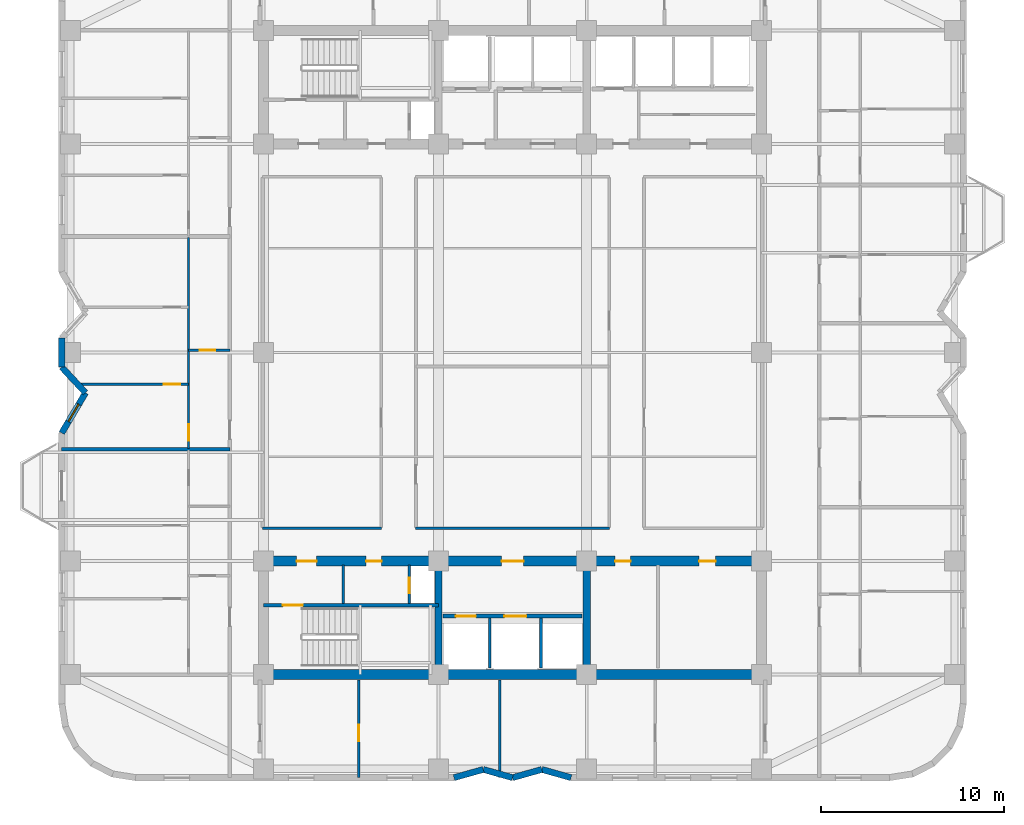
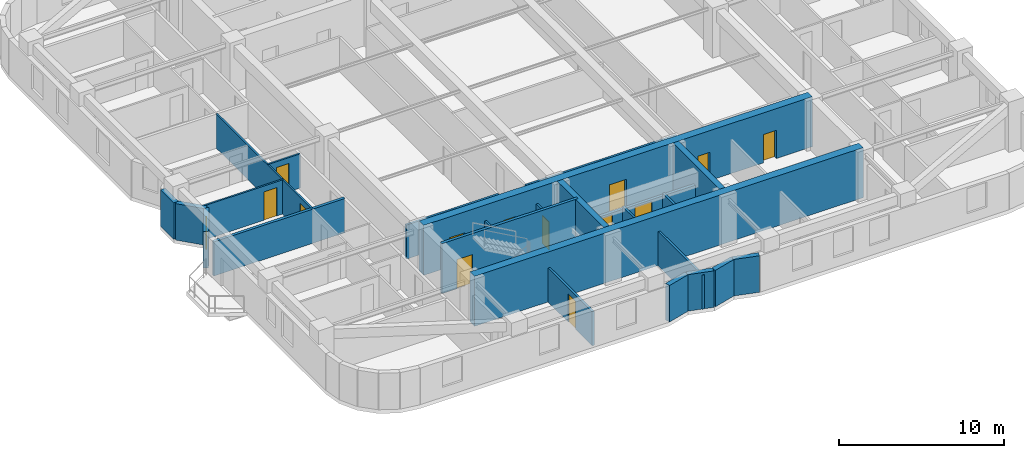
# One storey, part 3 of 10: 25 walls, 13 doors, 1 window, 14 openings.
"""IFC4 building model written with IfcOpenShell, lengths in metres."""

from ifc_helpers import new_model, si_unit, direction, frame, frame_2d, origin, place, context, subcontext, project, spatial, rectangle, extrude, material, layer, layer_set, type_object, element, fill, save


model = new_model("IFC4")

# Units and contexts
model_context = context("Model", 3, precision=1e-05, world=origin(), true_north=direction((0.0, 1.0)))
body_context = subcontext(model_context, "Body", "Model", "MODEL_VIEW")
ifc_project = project(units=[si_unit("LENGTHUNIT", "METRE"), si_unit("AREAUNIT", "SQUARE_METRE"), si_unit("VOLUMEUNIT", "CUBIC_METRE"), si_unit("PLANEANGLEUNIT", "RADIAN"), si_unit("MASSUNIT", "GRAM", prefix="KILO")], contexts=[model_context])

# Site, building, storey
site_placement = place(None, origin())
site = spatial("IfcSite", under=ifc_project, at=site_placement, CompositionType="ELEMENT")
building_placement = place(site_placement, origin())
building = spatial("IfcBuilding", under=site, at=building_placement, Name="Svetorya Sky Lyceum", CompositionType="ELEMENT")
storey_placement = place(building_placement, frame((0.0, 0.0, 110.5)))
storey = spatial("IfcBuildingStorey", under=building, at=storey_placement, Name="L27", CompositionType="ELEMENT", Elevation=110.5)

# Walls
ifc_material_1 = material(Name="Concrete C40/50", Category="concrete")
ifc_layer_1 = layer(ifc_material_1, 0.39990234375)
ifc_layer_set_1 = layer_set([ifc_layer_1], Name="Concrete C40/50")
wall_type_1 = type_object("IfcWallType", Name="WL-CORE-400", PredefinedType="SHEAR", material=ifc_layer_set_1)
for number, where, z_axis, x_axis, name in (
    (1, (35.14990234375, 10.875, 0.0), (0.0, 0.0, 1.0), (0.0, 1.0, 0.0), "L27 SC Internal Shear Web WEB1"),
    (2, (43.25, 10.875, 0.0), (0.0, 0.0, 1.0), (0.0, 1.0, 0.0), "L27 SC Internal Shear Web WEB2"),
):
    element("IfcWall", number, at=place(storey_placement, frame(where, z_axis=z_axis, x_axis=x_axis)), inside=storey, type_object=wall_type_1, Name=name, PredefinedType="SHEAR", context=body_context, shape_type="SweptSolid", body=[
        extrude(rectangle(XDim=5.64990234375, YDim=0.39990234375, at=frame_2d((2.824951171875, 0.0))), origin(), (0.0, 0.0, 1.0), 3.699951171875),
    ])
ifc_material_2 = material(Name="Concrete C60/75", Category="concrete")
ifc_layer_2 = layer(ifc_material_2, 0.550048828125)
ifc_layer_set_2 = layer_set([ifc_layer_2], Name="Concrete C60/75")
wall_type_2 = type_object("IfcWallType", Name="WL-CORE-550", PredefinedType="SHEAR", material=ifc_layer_set_2)
wall_1_placement = place(storey_placement, frame((52.800048828125, 10.60009765625, 0.0), z_axis=(0.0, 0.0, 1.0), x_axis=(-1.0, 0.0, 0.0)))
element("IfcWall", 3, at=wall_1_placement, inside=storey, type_object=wall_type_2, Name="L27 SC Outer Core Shear Wall", PredefinedType="SHEAR", context=body_context, shape_type="SweptSolid", body=[
    extrude(rectangle(XDim=27.199951171875, YDim=0.550048828125, at=frame_2d((13.60009765625, 0.0))), origin(), (0.0, 0.0, 1.0), 3.699951171875),
])

# Wall, openings, doors
wall_2_placement = place(storey_placement, frame((25.60009765625, 16.800048828125, 0.0), z_axis=(0.0, 0.0, 1.0), x_axis=(1.0, 0.0, 0.0)))
wall_2 = element("IfcWall", 4, at=wall_2_placement, inside=storey, type_object=wall_type_2, Name="L27 SC Inner Core Shear Wall", PredefinedType="SHEAR", context=body_context, shape_type="SweptSolid", body=[
    extrude(rectangle(XDim=27.199951171875, YDim=0.550048828125, at=frame_2d((13.60009765625, 0.0))), origin(), (0.0, 0.0, 1.0), 3.699951171875),
])
opening_1_placement = place(wall_2_placement, frame((1.800048828125, 0.0, 0.0)))
opening_1 = element("IfcOpeningElement", 5, at=opening_1_placement, cuts=wall_2, Name="Opening D-ST1", PredefinedType="OPENING", context=body_context, shape_type="SweptSolid", body=[
    extrude(rectangle(XDim=1.10009765625, YDim=2.14990234375, at=frame_2d((0.550048828125, 1.074951171875))), frame((0.0, 0.284912109375, 0.0), z_axis=(0.0, -1.0, 0.0), x_axis=(1.0, 0.0, 0.0)), (0.0, 0.0, 1.0), 0.570068359375),
])
opening_2_placement = place(wall_2_placement, frame((5.60009765625, 0.0, 0.0)))
opening_2 = element("IfcOpeningElement", 6, at=opening_2_placement, cuts=wall_2, Name="Opening D-CWC1", PredefinedType="OPENING", context=body_context, shape_type="SweptSolid", body=[
    extrude(rectangle(XDim=0.85009765625, YDim=2.10009765625, at=frame_2d((0.425048828125, 1.050048828125))), frame((0.0, 0.284912109375, 0.0), z_axis=(0.0, -1.0, 0.0), x_axis=(1.0, 0.0, 0.0)), (0.0, 0.0, 1.0), 0.570068359375),
])
opening_3_placement = place(wall_2_placement, frame((13.0, 0.0, 0.0)))
opening_3 = element("IfcOpeningElement", 7, at=opening_3_placement, cuts=wall_2, Name="Opening D-FL1", PredefinedType="OPENING", context=body_context, shape_type="SweptSolid", body=[
    extrude(rectangle(XDim=1.199951171875, YDim=2.14990234375, at=frame_2d((0.60009765625, 1.074951171875))), frame((0.0, 0.284912109375, 0.0), z_axis=(0.0, -1.0, 0.0), x_axis=(1.0, 0.0, 0.0)), (0.0, 0.0, 1.0), 0.570068359375),
])
opening_4_placement = place(wall_2_placement, frame((19.199951171875, 0.0, 0.0)))
opening_4 = element("IfcOpeningElement", 8, at=opening_4_placement, cuts=wall_2, Name="Opening D-CWC1", PredefinedType="OPENING", context=body_context, shape_type="SweptSolid", body=[
    extrude(rectangle(XDim=0.85009765625, YDim=2.10009765625, at=frame_2d((0.425048828125, 1.050048828125))), frame((0.0, 0.284912109375, 0.0), z_axis=(0.0, -1.0, 0.0), x_axis=(1.0, 0.0, 0.0)), (0.0, 0.0, 1.0), 0.570068359375),
])
opening_5_placement = place(wall_2_placement, frame((23.800048828125, 0.0, 0.0)))
opening_5 = element("IfcOpeningElement", 9, at=opening_5_placement, cuts=wall_2, Name="Opening D-RM1", PredefinedType="OPENING", context=body_context, shape_type="SweptSolid", body=[
    extrude(rectangle(XDim=0.89990234375, YDim=2.10009765625, at=frame_2d((0.449951171875, 1.050048828125))), frame((0.0, 0.284912109375, 0.0), z_axis=(0.0, -1.0, 0.0), x_axis=(1.0, 0.0, 0.0)), (0.0, 0.0, 1.0), 0.570068359375),
])
ifc_material_3 = material(Name="Fire-rated galvanized steel core service closet door", Category="steel")
door_type_1 = type_object("IfcDoorType", Name="DR-CWET-850", OperationType="SINGLE_SWING_LEFT", PredefinedType="DOOR", material=ifc_material_3)
door_1_placement = place(opening_2_placement, origin())
door_1 = element("IfcDoor", 10, at=door_1_placement, inside=storey, type_object=door_type_1, Name="L27 South Hydrant Room Door", OperationType="SINGLE_SWING_LEFT", OverallHeight=2.10009765625, OverallWidth=0.85009765625, PredefinedType="DOOR", context=body_context, shape_type="SweptSolid", body=[
    extrude(rectangle(XDim=0.85009765625, YDim=2.10009765625, at=frame_2d((0.425048828125, 1.050048828125))), frame((0.0, 0.02490234375, 0.0), z_axis=(0.0, -1.0, 0.0), x_axis=(1.0, 0.0, 0.0)), (0.0, 0.0, 1.0), 0.050048828125),
])
fill(opening_2, door_1)
door_2_placement = place(opening_4_placement, origin())
door_2 = element("IfcDoor", 11, at=door_2_placement, inside=storey, type_object=door_type_1, Name="L27 Laundry Door", OperationType="SINGLE_SWING_RIGHT", OverallHeight=2.10009765625, OverallWidth=0.85009765625, PredefinedType="DOOR", context=body_context, shape_type="SweptSolid", body=[
    extrude(rectangle(XDim=0.85009765625, YDim=2.10009765625, at=frame_2d((0.425048828125, 1.050048828125))), frame((0.0, 0.02490234375, 0.0), z_axis=(0.0, -1.0, 0.0), x_axis=(1.0, 0.0, 0.0)), (0.0, 0.0, 1.0), 0.050048828125),
])
fill(opening_4, door_2)
ifc_material_4 = material(Name="Powder-coated insulated galvanized stair fire door")
door_type_2 = type_object("IfcDoorType", Name="DR-FIRE-1100", OperationType="SINGLE_SWING_LEFT", PredefinedType="DOOR", material=ifc_material_4)
door_3_placement = place(opening_1_placement, origin())
door_3 = element("IfcDoor", 12, at=door_3_placement, inside=storey, type_object=door_type_2, Name="L27 South Stair Airlock Door", OperationType="SINGLE_SWING_RIGHT", OverallHeight=2.14990234375, OverallWidth=1.10009765625, PredefinedType="DOOR", context=body_context, shape_type="SweptSolid", body=[
    extrude(rectangle(XDim=1.10009765625, YDim=2.14990234375, at=frame_2d((0.550048828125, 1.074951171875))), frame((0.0, 0.02490234375, 0.0), z_axis=(0.0, -1.0, 0.0), x_axis=(1.0, 0.0, 0.0)), (0.0, 0.0, 1.0), 0.050048828125),
])
fill(opening_1, door_3)
ifc_material_5 = material(Name="Powder-coated insulated galvanized fire door")
door_type_3 = type_object("IfcDoorType", Name="DR-FIRE-1200", OperationType="SINGLE_SWING_LEFT", PredefinedType="DOOR", material=ifc_material_5)
door_4_placement = place(opening_3_placement, origin())
door_4 = element("IfcDoor", 13, at=door_4_placement, inside=storey, type_object=door_type_3, Name="L27 South Firefighting Lift Lobby Door", OperationType="SINGLE_SWING_LEFT", OverallHeight=2.14990234375, OverallWidth=1.199951171875, PredefinedType="DOOR", context=body_context, shape_type="SweptSolid", body=[
    extrude(rectangle(XDim=1.199951171875, YDim=2.14990234375, at=frame_2d((0.60009765625, 1.074951171875))), frame((0.0, 0.02490234375, 0.0), z_axis=(0.0, -1.0, 0.0), x_axis=(1.0, 0.0, 0.0)), (0.0, 0.0, 1.0), 0.050048828125),
])
fill(opening_3, door_4)
ifc_material_6 = material(Name="Lacquered birch veneer internal door")
door_type_4 = type_object("IfcDoorType", Name="DR-INT-900", OperationType="SINGLE_SWING_LEFT", PredefinedType="DOOR", material=ifc_material_6)
door_5_placement = place(opening_5_placement, origin())
door_5 = element("IfcDoor", 14, at=door_5_placement, inside=storey, type_object=door_type_4, Name="L27 Pantry Door", OperationType="SINGLE_SWING_LEFT", OverallHeight=2.10009765625, OverallWidth=0.89990234375, PredefinedType="DOOR", context=body_context, shape_type="SweptSolid", body=[
    extrude(rectangle(XDim=0.89990234375, YDim=2.10009765625, at=frame_2d((0.449951171875, 1.050048828125))), frame((0.0, 0.02490234375, 0.0), z_axis=(0.0, -1.0, 0.0), x_axis=(1.0, 0.0, 0.0)), (0.0, 0.0, 1.0), 0.050048828125),
])
fill(opening_5, door_5)

# Walls
ifc_material_7 = material(Name="Putilovo limestone rainscreen on autoclaved cellular masonry", Category="masonry")
ifc_layer_3 = layer(ifc_material_7, 0.340087890625)
ifc_layer_set_3 = layer_set([ifc_layer_3], Name="Putilovo limestone rainscreen on autoclaved cellular masonry")
wall_type_3 = type_object("IfcWallType", Name="WL-EXT-340", PredefinedType="SOLIDWALL", material=ifc_layer_set_3)
wall_3_placement = place(storey_placement, frame((36.0, 4.969970703125, 0.0), z_axis=(0.0, 0.0, 1.0), x_axis=(0.962662902433, 0.270703040766, 0.0)))
element("IfcWall", 15, at=wall_3_placement, inside=storey, type_object=wall_type_3, Name="L27 Limestone Exterior Wall 7M", PredefinedType="SOLIDWALL", context=body_context, shape_type="SweptSolid", body=[
    extrude(rectangle(XDim=1.662109375, YDim=0.340087890625, at=frame_2d((0.8310546875, 0.0))), origin(), (0.0, 0.0, 1.0), 2.699951171875),
])
wall_4_placement = place(storey_placement, frame((37.60009765625, 5.419921875, 0.0), z_axis=(0.0, 0.0, 1.0), x_axis=(0.962652136636, -0.270741322725, 0.0)))
element("IfcWall", 16, at=wall_4_placement, inside=storey, type_object=wall_type_3, Name="L27 Limestone Exterior Wall 8M", PredefinedType="SOLIDWALL", context=body_context, shape_type="SweptSolid", body=[
    extrude(rectangle(XDim=1.661865234375, YDim=0.340087890625, at=frame_2d((0.8310546875, 0.0))), origin(), (0.0, 0.0, 1.0), 2.699951171875),
])
wall_5_placement = place(storey_placement, frame((39.199951171875, 4.969970703125, 0.0), z_axis=(0.0, 0.0, 1.0), x_axis=(0.962662902433, 0.270703040766, 0.0)))
element("IfcWall", 17, at=wall_5_placement, inside=storey, type_object=wall_type_3, Name="L27 Limestone Exterior Wall 9M", PredefinedType="SOLIDWALL", context=body_context, shape_type="SweptSolid", body=[
    extrude(rectangle(XDim=1.662109375, YDim=0.340087890625, at=frame_2d((0.8310546875, 0.0))), origin(), (0.0, 0.0, 1.0), 2.699951171875),
])
wall_6_placement = place(storey_placement, frame((40.800048828125, 5.419921875, 0.0), z_axis=(0.0, 0.0, 1.0), x_axis=(0.962652136636, -0.270741322725, 0.0)))
element("IfcWall", 18, at=wall_6_placement, inside=storey, type_object=wall_type_3, Name="L27 Limestone Exterior Wall 10M", PredefinedType="SOLIDWALL", context=body_context, shape_type="SweptSolid", body=[
    extrude(rectangle(XDim=1.661865234375, YDim=0.340087890625, at=frame_2d((0.8310546875, 0.0))), origin(), (0.0, 0.0, 1.0), 2.699951171875),
])
wall_7_placement = place(storey_placement, frame((14.570068359375, 29.0, 0.0), z_axis=(0.0, 0.0, 1.0), x_axis=(0.0, -1.0, 0.0)))
element("IfcWall", 19, at=wall_7_placement, inside=storey, type_object=wall_type_3, Name="L27 Limestone Exterior Wall 43M", PredefinedType="SOLIDWALL", context=body_context, shape_type="SweptSolid", body=[
    extrude(rectangle(XDim=1.60009765625, YDim=0.340087890625, at=frame_2d((0.800048828125, 0.0))), origin(), (0.0, 0.0, 1.0), 2.699951171875),
])
wall_8_placement = place(storey_placement, frame((14.570068359375, 27.39990234375, 0.0), z_axis=(0.0, 0.0, 1.0), x_axis=(0.68049031116, -0.732757078722, 0.0)))
element("IfcWall", 20, at=wall_8_placement, inside=storey, type_object=wall_type_3, Name="L27 Limestone Exterior Wall 44M", PredefinedType="SOLIDWALL", context=body_context, shape_type="SweptSolid", body=[
    extrude(rectangle(XDim=1.910400390625, YDim=0.340087890625, at=frame_2d((0.955078125, 0.0))), origin(), (0.0, 0.0, 1.0), 2.699951171875),
])

# Wall, opening, window
wall_9_placement = place(storey_placement, frame((15.8701171875, 26.0, 0.0), z_axis=(0.0, 0.0, 1.0), x_axis=(-0.508751843651, -0.860913213734, 0.0)))
wall_9 = element("IfcWall", 21, at=wall_9_placement, inside=storey, type_object=wall_type_3, Name="L27 Limestone Exterior Wall 45M", PredefinedType="SOLIDWALL", context=body_context, shape_type="SweptSolid", body=[
    extrude(rectangle(XDim=2.555419921875, YDim=0.340087890625, at=frame_2d((1.27783203125, 0.0))), origin(), (0.0, 0.0, 1.0), 2.699951171875),
])
opening_6_placement = place(wall_9_placement, frame((0.727783203125, 0.0, 0.889892578125)))
opening_6 = element("IfcOpeningElement", 22, at=opening_6_placement, cuts=wall_9, Name="Opening W-R3", PredefinedType="OPENING", context=body_context, shape_type="SweptSolid", body=[
    extrude(rectangle(XDim=1.10009765625, YDim=1.64990234375, at=frame_2d((0.550048828125, 0.824951171875))), frame((0.0, 0.179931640625, 0.0), z_axis=(0.0, -1.0, 0.0), x_axis=(1.0, 0.0, 0.0)), (0.0, 0.0, 1.0), 0.360107421875),
])
ifc_material_8 = material(Name="Thermally broken aluminium frame with triple low-E glazing", Category="aluminium")
window_type = type_object("IfcWindowType", Name="WN-RES-110", PartitioningType="SINGLE_PANEL", PredefinedType="WINDOW", material=ifc_material_8)
window_placement = place(opening_6_placement, origin())
window = element("IfcWindow", 23, at=window_placement, inside=storey, type_object=window_type, Name="L27 Facade Window W-R3.45M.1", OverallHeight=1.64990234375, OverallWidth=1.10009765625, PartitioningType="SINGLE_PANEL", PredefinedType="WINDOW", context=body_context, shape_type="SweptSolid", body=[
    extrude(rectangle(XDim=1.10009765625, YDim=1.64990234375, at=frame_2d((0.550048828125, 0.824951171875))), frame((0.0, 0.030029296875, 0.0), z_axis=(0.0, -1.0, 0.0), x_axis=(1.0, 0.0, 0.0)), (0.0, 0.0, 1.0), 0.06005859375),
])
fill(opening_6, window)

# Wall, opening, door
ifc_material_9 = material(Name="Twin-stud galvanized framing with double fireboard", Category="gypsum")
ifc_layer_4 = layer(ifc_material_9, 0.1201171875)
ifc_layer_set_4 = layer_set([ifc_layer_4], Name="Twin-stud galvanized framing with double fireboard")
wall_type_4 = type_object("IfcWallType", Name="WL-PART-120", PredefinedType="PARTITIONING", material=ifc_layer_set_4)
wall_10_placement = place(storey_placement, frame((21.5, 28.320068359375, 0.0), z_axis=(0.0, 0.0, 1.0), x_axis=(1.0, 0.0, 0.0)))
wall_10 = element("IfcWall", 24, at=wall_10_placement, inside=storey, type_object=wall_type_4, Name="L27 Interior Partition W2-WH1", PredefinedType="PARTITIONING", context=body_context, shape_type="SweptSolid", body=[
    extrude(rectangle(XDim=2.25, YDim=0.1201171875, at=frame_2d((1.125, 0.0))), origin(), (0.0, 0.0, 1.0), 2.530029296875),
])
opening_7_placement = place(wall_10_placement, frame((0.60009765625, 0.0, 0.0)))
opening_7 = element("IfcOpeningElement", 25, at=opening_7_placement, cuts=wall_10, Name="Opening D-BT1", PredefinedType="OPENING", context=body_context, shape_type="SweptSolid", body=[
    extrude(rectangle(XDim=0.85009765625, YDim=2.10009765625, at=frame_2d((0.425048828125, 1.050048828125))), frame((0.0, 0.070068359375, 0.0), z_axis=(0.0, -1.0, 0.0), x_axis=(1.0, 0.0, 0.0)), (0.0, 0.0, 1.0), 0.14013671875),
])
ifc_material_10 = material(Name="Moisture-resistant laminate bathroom door")
door_type_5 = type_object("IfcDoorType", Name="DR-WET-850", OperationType="SINGLE_SWING_LEFT", PredefinedType="DOOR", material=ifc_material_10)
door_6_placement = place(opening_7_placement, origin())
door_6 = element("IfcDoor", 26, at=door_6_placement, inside=storey, type_object=door_type_5, Name="Apartment W2 Bathroom Door", OperationType="SINGLE_SWING_RIGHT", OverallHeight=2.10009765625, OverallWidth=0.85009765625, PredefinedType="DOOR", context=body_context, shape_type="SweptSolid", body=[
    extrude(rectangle(XDim=0.85009765625, YDim=2.10009765625, at=frame_2d((0.425048828125, 1.050048828125))), frame((0.0, 0.02490234375, 0.0), z_axis=(0.0, -1.0, 0.0), x_axis=(1.0, 0.0, 0.0)), (0.0, 0.0, 1.0), 0.050048828125),
])
fill(opening_7, door_6)

wall_11_placement = place(storey_placement, frame((15.43359375, 26.469970703125, 0.0), z_axis=(0.0, 0.0, 1.0), x_axis=(1.0, 0.0, 0.0)))
wall_11 = element("IfcWall", 27, at=wall_11_placement, inside=storey, type_object=wall_type_4, Name="L27 Interior Partition W2-WL1", PredefinedType="PARTITIONING", context=body_context, shape_type="SweptSolid", body=[
    extrude(rectangle(XDim=6.06640625, YDim=0.1201171875, at=frame_2d((3.033203125, 0.0))), origin(), (0.0, 0.0, 1.0), 2.530029296875),
])
opening_8_placement = place(wall_11_placement, frame((4.71630859375, 0.0, 0.0)))
opening_8 = element("IfcOpeningElement", 28, at=opening_8_placement, cuts=wall_11, Name="Opening D-RM1", PredefinedType="OPENING", context=body_context, shape_type="SweptSolid", body=[
    extrude(rectangle(XDim=0.89990234375, YDim=2.10009765625, at=frame_2d((0.449951171875, 1.050048828125))), frame((0.0, 0.070068359375, 0.0), z_axis=(0.0, -1.0, 0.0), x_axis=(1.0, 0.0, 0.0)), (0.0, 0.0, 1.0), 0.14013671875),
])
door_7_placement = place(opening_8_placement, origin())
door_7 = element("IfcDoor", 29, at=door_7_placement, inside=storey, type_object=door_type_4, Name="Apartment W2 Master Bedroom Door", OperationType="SINGLE_SWING_RIGHT", OverallHeight=2.10009765625, OverallWidth=0.89990234375, PredefinedType="DOOR", context=body_context, shape_type="SweptSolid", body=[
    extrude(rectangle(XDim=0.89990234375, YDim=2.10009765625, at=frame_2d((0.449951171875, 1.050048828125))), frame((0.0, 0.02490234375, 0.0), z_axis=(0.0, -1.0, 0.0), x_axis=(1.0, 0.0, 0.0)), (0.0, 0.0, 1.0), 0.050048828125),
])
fill(opening_8, door_7)

wall_12_placement = place(storey_placement, frame((21.5, 22.9599609375, 0.0), z_axis=(0.0, 0.0, 1.0), x_axis=(0.0, 1.0, 0.0)))
wall_12 = element("IfcWall", 30, at=wall_12_placement, inside=storey, type_object=wall_type_4, Name="L27 Interior Partition W2-WV", PredefinedType="PARTITIONING", context=body_context, shape_type="SweptSolid", body=[
    extrude(rectangle(XDim=11.5361328125, YDim=0.1201171875, at=frame_2d((5.76806640625, 0.0))), origin(), (0.0, 0.0, 1.0), 2.530029296875),
])
opening_9_placement = place(wall_12_placement, frame((0.409912109375, 0.0, 0.0)))
opening_9 = element("IfcOpeningElement", 31, at=opening_9_placement, cuts=wall_12, Name="Opening D-RM1", PredefinedType="OPENING", context=body_context, shape_type="SweptSolid", body=[
    extrude(rectangle(XDim=0.89990234375, YDim=2.10009765625, at=frame_2d((0.449951171875, 1.050048828125))), frame((0.0, 0.070068359375, 0.0), z_axis=(0.0, -1.0, 0.0), x_axis=(1.0, 0.0, 0.0)), (0.0, 0.0, 1.0), 0.14013671875),
])
door_8_placement = place(opening_9_placement, origin())
door_8 = element("IfcDoor", 32, at=door_8_placement, inside=storey, type_object=door_type_4, Name="Apartment W2 Living Door", OperationType="SINGLE_SWING_LEFT", OverallHeight=2.10009765625, OverallWidth=0.89990234375, PredefinedType="DOOR", context=body_context, shape_type="SweptSolid", body=[
    extrude(rectangle(XDim=0.89990234375, YDim=2.10009765625, at=frame_2d((0.449951171875, 1.050048828125))), frame((0.0, 0.02490234375, 0.0), z_axis=(0.0, -1.0, 0.0), x_axis=(1.0, 0.0, 0.0)), (0.0, 0.0, 1.0), 0.050048828125),
])
fill(opening_9, door_8)

# Wall
ifc_material_11 = material(Name="Autoclaved cellular masonry blockwork with acoustic render", Category="masonry")
ifc_layer_5 = layer(ifc_material_11, 0.14990234375)
ifc_layer_set_5 = layer_set([ifc_layer_5], Name="Autoclaved cellular masonry blockwork with acoustic render")
wall_type_5 = type_object("IfcWallType", Name="WL-PART-150", PredefinedType="PARTITIONING", material=ifc_layer_set_5)
wall_13_placement = place(storey_placement, frame((29.949951171875, 14.5, 0.0), z_axis=(0.0, 0.0, 1.0), x_axis=(0.0, 1.0, 0.0)))
element("IfcWall", 33, at=wall_13_placement, inside=storey, type_object=wall_type_5, Name="L27 Interior Partition SC-SWD1", PredefinedType="PARTITIONING", context=body_context, shape_type="SweptSolid", body=[
    extrude(rectangle(XDim=2.080078125, YDim=0.14990234375, at=frame_2d((1.0400390625, 0.0))), origin(), (0.0, 0.0, 1.0), 2.530029296875),
])

# Wall, opening, door
wall_14_placement = place(storey_placement, frame((33.550048828125, 14.5, 0.0), z_axis=(0.0, 0.0, 1.0), x_axis=(0.0, 1.0, 0.0)))
wall_14 = element("IfcWall", 34, at=wall_14_placement, inside=storey, type_object=wall_type_5, Name="L27 Interior Partition SC-SWD2", PredefinedType="PARTITIONING", context=body_context, shape_type="SweptSolid", body=[
    extrude(rectangle(XDim=2.080078125, YDim=0.14990234375, at=frame_2d((1.0400390625, 0.0))), origin(), (0.0, 0.0, 1.0), 2.530029296875),
])
opening_10_placement = place(wall_14_placement, frame((0.550048828125, 0.0, 0.0)))
opening_10 = element("IfcOpeningElement", 35, at=opening_10_placement, cuts=wall_14, Name="Opening D-SH1", PredefinedType="OPENING", context=body_context, shape_type="SweptSolid", body=[
    extrude(rectangle(XDim=0.85009765625, YDim=2.050048828125, at=frame_2d((0.425048828125, 1.02490234375))), frame((0.0, 0.0849609375, 0.0), z_axis=(0.0, -1.0, 0.0), x_axis=(1.0, 0.0, 0.0)), (0.0, 0.0, 1.0), 0.169921875),
])
ifc_material_12 = material(Name="Insulated galvanized riser inspection fire door")
door_type_6 = type_object("IfcDoorType", Name="DR-SHFT-850", OperationType="SINGLE_SWING_LEFT", PredefinedType="TRAPDOOR", material=ifc_material_12)
door_9_placement = place(opening_10_placement, origin())
door_9 = element("IfcDoor", 36, at=door_9_placement, inside=storey, type_object=door_type_6, Name="L27 South Riser Access Door", OperationType="SINGLE_SWING_RIGHT", OverallHeight=2.050048828125, OverallWidth=0.85009765625, PredefinedType="TRAPDOOR", context=body_context, shape_type="SweptSolid", body=[
    extrude(rectangle(XDim=0.85009765625, YDim=2.050048828125, at=frame_2d((0.425048828125, 1.02490234375))), frame((0.0, 0.02490234375, 0.0), z_axis=(0.0, -1.0, 0.0), x_axis=(1.0, 0.0, 0.0)), (0.0, 0.0, 1.0), 0.050048828125),
])
fill(opening_10, door_9)

# Walls
for number, where, z_axis, x_axis, name in (
    (37, (37.949951171875, 10.949951171875, 0.0), (0.0, 0.0, 1.0), (0.0, 1.0, 0.0), "L27 Interior Partition SC-SHD1"),
    (38, (40.75, 10.949951171875, 0.0), (0.0, 0.0, 1.0), (0.0, 1.0, 0.0), "L27 Interior Partition SC-SHD2"),
):
    element("IfcWall", number, at=place(storey_placement, frame(where, z_axis=z_axis, x_axis=x_axis)), inside=storey, type_object=wall_type_5, Name=name, PredefinedType="PARTITIONING", context=body_context, shape_type="SweptSolid", body=[
        extrude(rectangle(XDim=2.75, YDim=0.14990234375, at=frame_2d((1.375, 0.0))), origin(), (0.0, 0.0, 1.0), 2.530029296875),
    ])
wall_15_placement = place(storey_placement, frame((25.550048828125, 18.60009765625, 0.0), z_axis=(0.0, 0.0, 1.0), x_axis=(1.0, 0.0, 0.0)))
element("IfcWall", 39, at=wall_15_placement, inside=storey, type_object=wall_type_5, Name="L27 Interior Partition RL-CS-W", PredefinedType="PARTITIONING", context=body_context, shape_type="SweptSolid", body=[
    extrude(rectangle(XDim=6.5, YDim=0.14990234375, at=frame_2d((3.25, 0.0))), origin(), (0.0, 0.0, 1.0), 2.530029296875),
])
wall_16_placement = place(storey_placement, frame((33.89990234375, 18.60009765625, 0.0), z_axis=(0.0, 0.0, 1.0), x_axis=(1.0, 0.0, 0.0)))
element("IfcWall", 40, at=wall_16_placement, inside=storey, type_object=wall_type_5, Name="L27 Interior Partition RL-CS-M", PredefinedType="PARTITIONING", context=body_context, shape_type="SweptSolid", body=[
    extrude(rectangle(XDim=10.60009765625, YDim=0.14990234375, at=frame_2d((5.300048828125, 0.0))), origin(), (0.0, 0.0, 1.0), 2.530029296875),
])

# Wall, opening, door
wall_17_placement = place(storey_placement, frame((30.800048828125, 4.969970703125, 0.0), z_axis=(0.0, 0.0, 1.0), x_axis=(0.0, 1.0, 0.0)))
wall_17 = element("IfcWall", 41, at=wall_17_placement, inside=storey, type_object=wall_type_5, Name="L27 Interior Partition S4-D1", PredefinedType="PARTITIONING", context=body_context, shape_type="SweptSolid", body=[
    extrude(rectangle(XDim=5.330078125, YDim=0.14990234375, at=frame_2d((2.6650390625, 0.0))), origin(), (0.0, 0.0, 1.0), 2.530029296875),
])
opening_11_placement = place(wall_17_placement, frame((2.0, 0.0, 0.0)))
opening_11 = element("IfcOpeningElement", 42, at=opening_11_placement, cuts=wall_17, Name="Opening D-RM1", PredefinedType="OPENING", context=body_context, shape_type="SweptSolid", body=[
    extrude(rectangle(XDim=0.89990234375, YDim=2.10009765625, at=frame_2d((0.449951171875, 1.050048828125))), frame((0.0, 0.0849609375, 0.0), z_axis=(0.0, -1.0, 0.0), x_axis=(1.0, 0.0, 0.0)), (0.0, 0.0, 1.0), 0.169921875),
])
door_10_placement = place(opening_11_placement, origin())
door_10 = element("IfcDoor", 43, at=door_10_placement, inside=storey, type_object=door_type_4, Name="L27 South Suite Door 1", OperationType="SINGLE_SWING_LEFT", OverallHeight=2.10009765625, OverallWidth=0.89990234375, PredefinedType="DOOR", context=body_context, shape_type="SweptSolid", body=[
    extrude(rectangle(XDim=0.89990234375, YDim=2.10009765625, at=frame_2d((0.449951171875, 1.050048828125))), frame((0.0, 0.02490234375, 0.0), z_axis=(0.0, -1.0, 0.0), x_axis=(1.0, 0.0, 0.0)), (0.0, 0.0, 1.0), 0.050048828125),
])
fill(opening_11, door_10)

# Wall
wall_18_placement = place(storey_placement, frame((38.5, 4.969970703125, 0.0), z_axis=(0.0, 0.0, 1.0), x_axis=(0.0, 1.0, 0.0)))
element("IfcWall", 44, at=wall_18_placement, inside=storey, type_object=wall_type_5, Name="L27 Interior Partition S4-D2", PredefinedType="PARTITIONING", context=body_context, shape_type="SweptSolid", body=[
    extrude(rectangle(XDim=5.330078125, YDim=0.14990234375, at=frame_2d((2.6650390625, 0.0))), origin(), (0.0, 0.0, 1.0), 2.530029296875),
])

# Wall, openings, doors
ifc_material_13 = material(Name="Autoclaved cellular masonry blockwork with gypsum plaster", Category="masonry")
ifc_layer_6 = layer(ifc_material_13, 0.199951171875)
ifc_layer_set_6 = layer_set([ifc_layer_6], Name="Autoclaved cellular masonry blockwork with gypsum plaster")
wall_type_6 = type_object("IfcWallType", Name="WL-PART-200", PredefinedType="PARTITIONING", material=ifc_layer_set_6)
wall_19_placement = place(storey_placement, frame((35.39990234375, 13.800048828125, 0.0), z_axis=(0.0, 0.0, 1.0), x_axis=(1.0, 0.0, 0.0)))
wall_19 = element("IfcWall", 45, at=wall_19_placement, inside=storey, type_object=wall_type_6, Name="L27 Interior Partition SC-FLW", PredefinedType="PARTITIONING", context=body_context, shape_type="SweptSolid", body=[
    extrude(rectangle(XDim=7.60009765625, YDim=0.199951171875, at=frame_2d((3.800048828125, 0.0))), origin(), (0.0, 0.0, 1.0), 2.300048828125),
])
opening_12_placement = place(wall_19_placement, frame((0.699951171875, 0.0, 0.0)))
opening_12 = element("IfcOpeningElement", 46, at=opening_12_placement, cuts=wall_19, Name="Opening LD-FL", PredefinedType="OPENING", context=body_context, shape_type="SweptSolid", body=[
    extrude(rectangle(XDim=1.10009765625, YDim=2.14990234375, at=frame_2d((0.550048828125, 1.074951171875))), frame((0.0, 0.10986328125, 0.0), z_axis=(0.0, -1.0, 0.0), x_axis=(1.0, 0.0, 0.0)), (0.0, 0.0, 1.0), 0.219970703125),
])
opening_13_placement = place(wall_19_placement, frame((3.35009765625, 0.0, 0.0)))
opening_13 = element("IfcOpeningElement", 47, at=opening_13_placement, cuts=wall_19, Name="Opening LD-SV", PredefinedType="OPENING", context=body_context, shape_type="SweptSolid", body=[
    extrude(rectangle(XDim=1.199951171875, YDim=2.14990234375, at=frame_2d((0.60009765625, 1.074951171875))), frame((0.0, 0.10986328125, 0.0), z_axis=(0.0, -1.0, 0.0), x_axis=(1.0, 0.0, 0.0)), (0.0, 0.0, 1.0), 0.219970703125),
])
ifc_material_14 = material(Name="Fire-rated stainless AISI 304 firefighting lift landing door")
door_type_7 = type_object("IfcDoorType", Name="DR-LIFT-1100", OperationType="SLIDING_TO_LEFT", PredefinedType="DOOR", material=ifc_material_14)
door_11_placement = place(opening_12_placement, origin())
door_11 = element("IfcDoor", 48, at=door_11_placement, inside=storey, type_object=door_type_7, Name="L27 Firefighting Lift FL2 Landing Door", OperationType="SLIDING_TO_LEFT", OverallHeight=2.14990234375, OverallWidth=1.10009765625, PredefinedType="DOOR", context=body_context, shape_type="SweptSolid", body=[
    extrude(rectangle(XDim=1.10009765625, YDim=2.14990234375, at=frame_2d((0.550048828125, 1.074951171875))), frame((0.0, 0.02490234375, 0.0), z_axis=(0.0, -1.0, 0.0), x_axis=(1.0, 0.0, 0.0)), (0.0, 0.0, 1.0), 0.050048828125),
])
fill(opening_12, door_11)
ifc_material_15 = material(Name="Brushed stainless AISI 304 telescopic lift landing door")
door_type_8 = type_object("IfcDoorType", Name="DR-LIFT-1200", OperationType="SLIDING_TO_LEFT", PredefinedType="DOOR", material=ifc_material_15)
door_12_placement = place(opening_13_placement, origin())
door_12 = element("IfcDoor", 49, at=door_12_placement, inside=storey, type_object=door_type_8, Name="L27 Service Lift SVL1 Landing Door", OperationType="SLIDING_TO_LEFT", OverallHeight=2.14990234375, OverallWidth=1.199951171875, PredefinedType="DOOR", context=body_context, shape_type="SweptSolid", body=[
    extrude(rectangle(XDim=1.199951171875, YDim=2.14990234375, at=frame_2d((0.60009765625, 1.074951171875))), frame((0.0, 0.02490234375, 0.0), z_axis=(0.0, -1.0, 0.0), x_axis=(1.0, 0.0, 0.0)), (0.0, 0.0, 1.0), 0.050048828125),
])
fill(opening_13, door_12)

# Wall
wall_20_placement = place(storey_placement, frame((14.570068359375, 22.919921875, 0.0), z_axis=(0.0, 0.0, 1.0), x_axis=(1.0, 0.0, 0.0)))
element("IfcWall", 50, at=wall_20_placement, inside=storey, type_object=wall_type_6, Name="L27 Interior Partition W-PARTY-1", PredefinedType="PARTITIONING", context=body_context, shape_type="SweptSolid", body=[
    extrude(rectangle(XDim=9.179931640625, YDim=0.199951171875, at=frame_2d((4.58984375, 0.0))), origin(), (0.0, 0.0, 1.0), 2.530029296875),
])

# Wall, opening, door
ifc_material_16 = material(Name="Concrete C50/60", Category="concrete")
ifc_layer_7 = layer(ifc_material_16, 0.199951171875)
ifc_layer_set_7 = layer_set([ifc_layer_7], Name="Concrete C50/60")
wall_type_7 = type_object("IfcWallType", Name="WL-SHW-200", PredefinedType="SHEAR", material=ifc_layer_set_7)
wall_21_placement = place(storey_placement, frame((25.60009765625, 14.39990234375, 0.0), z_axis=(0.0, 0.0, 1.0), x_axis=(1.0, 0.0, 0.0)))
wall_21 = element("IfcWall", 51, at=wall_21_placement, inside=storey, type_object=wall_type_7, Name="L27 Structural Stair Shaft Wall SC-STW", PredefinedType="SHEAR", context=body_context, shape_type="SweptSolid", body=[
    extrude(rectangle(XDim=9.5498046875, YDim=0.199951171875, at=frame_2d((4.77490234375, 0.0))), origin(), (0.0, 0.0, 1.0), 3.699951171875),
])
opening_14_placement = place(wall_21_placement, frame((1.050048828125, 0.0, 0.0)))
opening_14 = element("IfcOpeningElement", 52, at=opening_14_placement, cuts=wall_21, Name="Opening D-ST1", PredefinedType="OPENING", context=body_context, shape_type="SweptSolid", body=[
    extrude(rectangle(XDim=1.10009765625, YDim=2.14990234375, at=frame_2d((0.550048828125, 1.074951171875))), frame((0.0, 0.10986328125, 0.0), z_axis=(0.0, -1.0, 0.0), x_axis=(1.0, 0.0, 0.0)), (0.0, 0.0, 1.0), 0.219970703125),
])
door_13_placement = place(opening_14_placement, origin())
door_13 = element("IfcDoor", 53, at=door_13_placement, inside=storey, type_object=door_type_2, Name="L27 Stair ST-S Vestibule Fire Door", OperationType="SINGLE_SWING_LEFT", OverallHeight=2.14990234375, OverallWidth=1.10009765625, PredefinedType="DOOR", context=body_context, shape_type="SweptSolid", body=[
    extrude(rectangle(XDim=1.10009765625, YDim=2.14990234375, at=frame_2d((0.550048828125, 1.074951171875))), frame((0.0, 0.02490234375, 0.0), z_axis=(0.0, -1.0, 0.0), x_axis=(1.0, 0.0, 0.0)), (0.0, 0.0, 1.0), 0.050048828125),
])
fill(opening_14, door_13)

save(model, "model.ifc")
